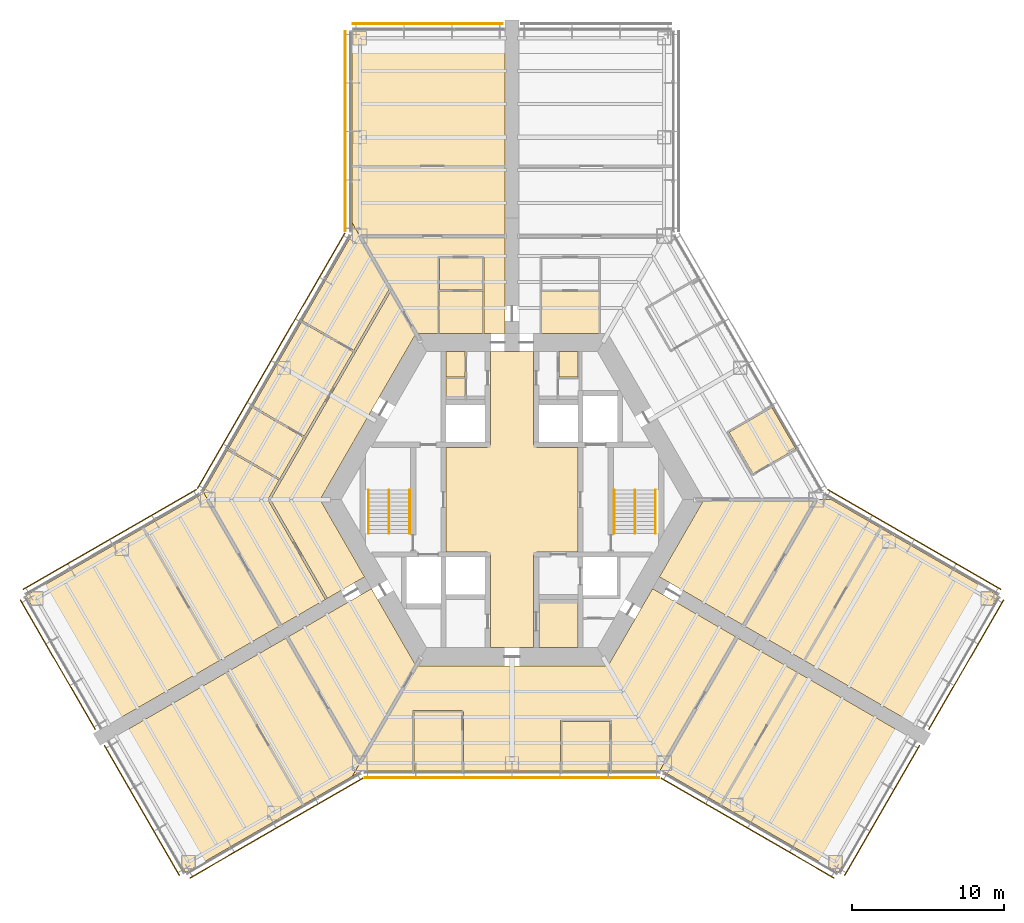
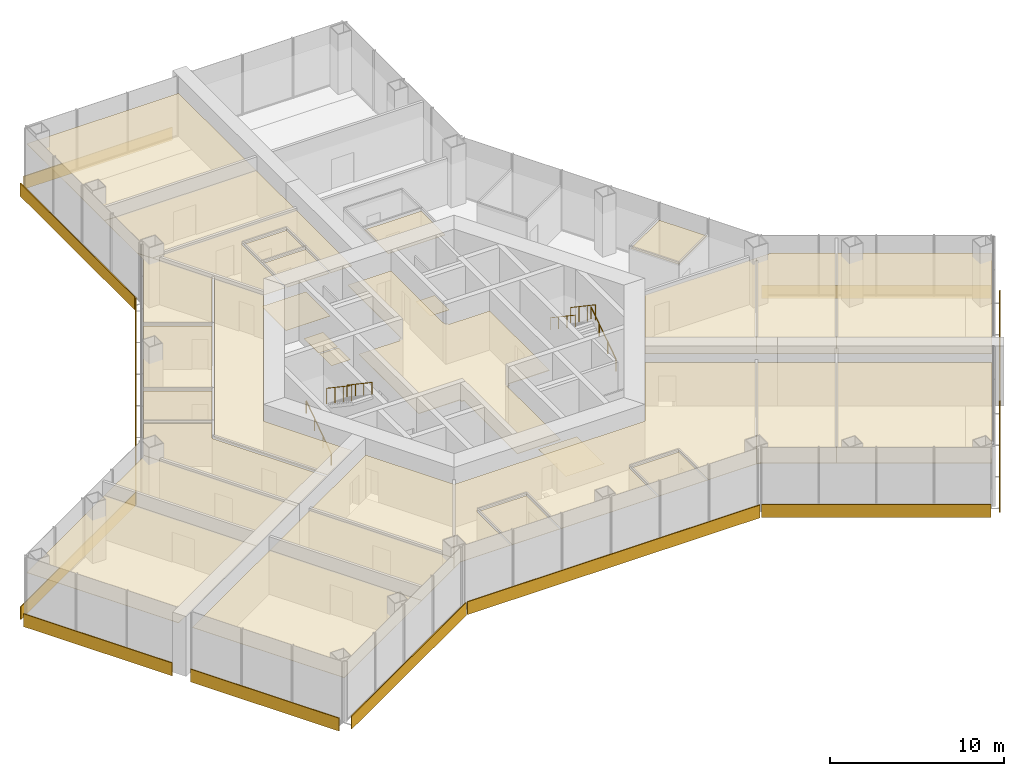
# One storey, part 16 of 17: 31 coverings, 12 shading devices, 6 railings.
"""IFC4 building model written with IfcOpenShell, lengths in metres."""

import ifcopenshell
import ifcopenshell.guid

model = None  # the IFC model being written
_history = None  # IfcOwnerHistory: only IFC2X3 demands one
_inside = {}  # id of a spatial element -> (the spatial element, [elements in it])
_under = {}  # id of a project, library or spatial element -> (it, [spatial elements below it])
_declared = {}  # id of a project -> (the project, [libraries it declares])
_typed = {}  # id of a type object -> (the type object, [elements of that type])
_made_of = {}  # id of a material, layer set ... -> (it, [elements and type objects made of it])


def new_model(schema):
    """Start an empty IFC model of exactly this schema.

    Asked for "IFC4X3", IfcOpenShell would pick the latest addendum, in which some entities
    have other attributes; the version numbers below select the first issue.
    IFC2X3 requires an IfcOwnerHistory on every rooted entity: one is made here for all.
    """
    global model, _history
    if schema == "IFC4X3":
        model = ifcopenshell.file(schema_version=(4, 3, 0, 0))
    else:
        model = ifcopenshell.file(schema=schema)
    _inside.clear()
    _under.clear()
    _declared.clear()
    _typed.clear()
    _made_of.clear()
    _history = None
    if model.schema == "IFC2X3":
        org = make("IfcOrganization", Name="unknown")
        user = make(
            "IfcPersonAndOrganization",
            ThePerson=make("IfcPerson", FamilyName="unknown"),
            TheOrganization=org,
        )
        app = make(
            "IfcApplication",
            ApplicationDeveloper=org,
            Version="unknown",
            ApplicationFullName="unknown",
            ApplicationIdentifier="unknown",
        )
        _history = make(
            "IfcOwnerHistory",
            OwningUser=user,
            OwningApplication=app,
            ChangeAction="ADDED",
            CreationDate=0,
        )
    return model


def make(cls, **values):
    """One entity of the class cls with the attributes given. An attribute that is None is left unset."""
    return model.create_entity(
        cls, **{name: value for name, value in values.items() if value is not None}
    )


def rooted(cls, **values):
    """An entity with a GlobalId (a new one), such as an element, a storey or a relation."""
    return make(cls, GlobalId=ifcopenshell.guid.new(), OwnerHistory=_history, **values)


def si_unit(unit_type, name, prefix=None):
    """IfcSIUnit, for example si_unit("LENGTHUNIT", "METRE", prefix="MILLI")."""
    return make("IfcSIUnit", UnitType=unit_type, Prefix=prefix, Name=name)


def assignment(units):
    """IfcUnitAssignment: the units of a project."""
    return None if units is None else make("IfcUnitAssignment", Units=units)


def point(xyz):
    """IfcCartesianPoint."""
    return None if xyz is None else make("IfcCartesianPoint", Coordinates=xyz)


def direction(xyz):
    """IfcDirection."""
    return None if xyz is None else make("IfcDirection", DirectionRatios=xyz)


def frame(location, z_axis=None, x_axis=None):
    """IfcAxis2Placement3D, a coordinate frame: its origin and axes. An axis left out is left unset."""
    return make(
        "IfcAxis2Placement3D",
        Location=point(location),
        Axis=direction(z_axis),
        RefDirection=direction(x_axis),
    )


def frame_2d(location, x_axis=None):
    """IfcAxis2Placement2D, a coordinate frame in the plane: its origin and x axis."""
    return make(
        "IfcAxis2Placement2D", Location=point(location), RefDirection=direction(x_axis)
    )


def origin():
    """The frame at (0, 0, 0) with its axes left unset."""
    return frame((0.0, 0.0, 0.0))


def origin_2d():
    """The frame at (0, 0) in the plane with its x axis left unset."""
    return frame_2d((0.0, 0.0))


def place(relative_to, where):
    """IfcLocalPlacement: puts the frame where relative to a parent placement (None: the world)."""
    return make(
        "IfcLocalPlacement", PlacementRelTo=relative_to, RelativePlacement=where
    )


def context(
    kind, dimensions, precision=None, world=None, true_north=None, identifier=None
):
    """IfcGeometricRepresentationContext, for example the 3D "Model" context."""
    return make(
        "IfcGeometricRepresentationContext",
        ContextIdentifier=identifier,
        ContextType=kind,
        CoordinateSpaceDimension=dimensions,
        Precision=precision,
        WorldCoordinateSystem=world,
        TrueNorth=true_north,
    )


def subcontext(parent, identifier, kind, view, scale=None):
    """IfcGeometricRepresentationSubContext, for example "Body" below "Model"."""
    return make(
        "IfcGeometricRepresentationSubContext",
        ContextIdentifier=identifier,
        ContextType=kind,
        ParentContext=parent,
        TargetScale=scale,
        TargetView=view,
    )


def project(units=None, contexts=None):
    """IfcProject with its units and contexts."""
    return rooted(
        "IfcProject",
        Name="project",
        RepresentationContexts=contexts,
        UnitsInContext=assignment(units),
    )


def spatial(cls, under=None, at=None, **own):
    """A site, building, storey or space (cls), placed at a placement, below another one or the project."""
    s = rooted(cls, ObjectPlacement=at, **own)
    if under is not None:
        _under.setdefault(under.id(), (under, []))[1].append(s)
    return s


def polyline(points):
    """IfcPolyline through the points."""
    return make("IfcPolyline", Points=[point(p) for p in points])


def profile(cls, at=None, kind="AREA", **sizes):
    """A parametric profile (cls). Its sizes go by their IFC names, for example OverallWidth=200.0."""
    return make(cls, ProfileType=kind, Position=at, **sizes)


def rectangle(**sizes):
    """IfcRectangleProfileDef."""
    return profile("IfcRectangleProfileDef", **sizes)


def circle(**sizes):
    """IfcCircleProfileDef."""
    return profile("IfcCircleProfileDef", **sizes)


def outline(outer, holes=None, kind="AREA"):
    """IfcArbitraryClosedProfileDef: a profile drawn as a closed curve; with holes, ...WithVoids."""
    if holes is None:
        return make("IfcArbitraryClosedProfileDef", ProfileType=kind, OuterCurve=outer)
    return make(
        "IfcArbitraryProfileDefWithVoids",
        ProfileType=kind,
        OuterCurve=outer,
        InnerCurves=holes,
    )


def extrude(swept, where, along, depth):
    """IfcExtrudedAreaSolid: the profile swept, set in the frame where, extruded along a direction by depth."""
    return make(
        "IfcExtrudedAreaSolid",
        SweptArea=swept,
        Position=where,
        ExtrudedDirection=direction(along),
        Depth=depth,
    )


def shape(context_of_items, identifier, shape_type, items):
    """IfcShapeRepresentation: the items that make up one representation, for example the "Body"."""
    return make(
        "IfcShapeRepresentation",
        ContextOfItems=context_of_items,
        RepresentationIdentifier=identifier,
        RepresentationType=shape_type,
        Items=items,
    )


def material(Name=None, Category=None):
    """IfcMaterial."""
    return make("IfcMaterial", Name=Name, Category=Category)


def layer(
    of_material, thickness, ventilated=None, Name=None, Category=None, Priority=None
):
    """IfcMaterialLayer: one layer of a wall or slab, of a material (None: an air gap)."""
    return make(
        "IfcMaterialLayer",
        Material=of_material,
        LayerThickness=thickness,
        IsVentilated=ventilated,
        Name=Name,
        Category=Category,
        Priority=Priority,
    )


def layer_set(layers, Name=None):
    """IfcMaterialLayerSet."""
    return make("IfcMaterialLayerSet", MaterialLayers=layers, LayerSetName=Name)


def made_of(thing, what):
    """Note that an element or type object is made of a material, layer set ...; save() writes the relation."""
    if what is not None:
        _made_of.setdefault(what.id(), (what, []))[1].append(thing)
    return thing


def type_object(cls, material=None, **own):
    """A type object (cls), such as IfcWallType, which elements share."""
    return made_of(rooted(cls, **own), material)


def element(
    cls,
    number,
    at=None,
    inside=None,
    cuts=None,
    type_object=None,
    material=None,
    context=None,
    identifier="Body",
    shape_type=None,
    held_by="IfcProductDefinitionShape",
    body=None,
    shapes=None,
    **own,
):
    """One element of the class cls, such as IfcWall. Its Tag is "e" and its number.

    at: its placement. inside: the storey or other place that contains it. cuts: it is an
    opening in that element (IfcRelVoidsElement). A single representation is given by context,
    identifier, shape_type and body (its items); several are given by shapes. held_by: the class
    of the entity that holds the representations. save() writes the other relations.
    """
    e = rooted(cls, Tag="e%d" % number, ObjectPlacement=at, **own)
    if body is not None:
        shapes = [shape(context, identifier, shape_type, body)]
    if shapes is not None:
        e.Representation = make(held_by, Representations=shapes)
    if inside is not None:
        _inside.setdefault(inside.id(), (inside, []))[1].append(e)
    if cuts is not None:
        rooted(
            "IfcRelVoidsElement", RelatingBuildingElement=cuts, RelatedOpeningElement=e
        )
    if type_object is not None:
        _typed.setdefault(type_object.id(), (type_object, []))[1].append(e)
    return made_of(e, material)


def aggregate(whole, parts):
    """IfcRelAggregates: a whole, such as a stair, and the parts it consists of."""
    return rooted("IfcRelAggregates", RelatingObject=whole, RelatedObjects=parts)


def save(model, path):
    """Write the relations noted so far, then the file.

    IfcRelAggregates (storeys below a building ...), IfcRelContainedInSpatialStructure (elements
    in a storey), IfcRelDefinesByType, IfcRelAssociatesMaterial and IfcRelDeclares: one each for
    every whole, place, type object, material and project.
    """
    for whole, parts in _under.values():
        aggregate(whole, parts)
    for where, things in _inside.values():
        rooted(
            "IfcRelContainedInSpatialStructure",
            RelatedElements=things,
            RelatingStructure=where,
        )
    for kind, things in _typed.values():
        rooted("IfcRelDefinesByType", RelatedObjects=things, RelatingType=kind)
    for what, things in _made_of.values():
        rooted("IfcRelAssociatesMaterial", RelatedObjects=things, RelatingMaterial=what)
    for by, libraries in _declared.values():
        rooted("IfcRelDeclares", RelatingContext=by, RelatedDefinitions=libraries)
    model.write(path)


model = new_model("IFC4")

# Units and contexts
model_context = context("Model", 3, precision=1e-05, world=origin(), true_north=direction((0.0, 1.0)))
body_context = subcontext(model_context, "Body", "Model", "MODEL_VIEW")
ifc_project = project(units=[si_unit("LENGTHUNIT", "METRE"), si_unit("AREAUNIT", "SQUARE_METRE"), si_unit("VOLUMEUNIT", "CUBIC_METRE"), si_unit("PLANEANGLEUNIT", "RADIAN"), si_unit("MASSUNIT", "GRAM", prefix="KILO")], contexts=[model_context])

# Site, building, storey
site_placement = place(None, origin())
site = spatial("IfcSite", under=ifc_project, at=site_placement, CompositionType="ELEMENT")
building_placement = place(site_placement, origin())
building = spatial("IfcBuilding", under=site, at=building_placement, Name="Kasaneha Research Tower", CompositionType="ELEMENT")
storey_placement = place(building_placement, frame((0.0, 0.0, 43.60009765625)))
storey = spatial("IfcBuildingStorey", under=building, at=storey_placement, Name="L11", CompositionType="ELEMENT", Elevation=43.60009765625)

# Coverings
ifc_material_1 = material(Name="Washable coated ceiling board", Category="gypsum")
ifc_layer_1 = layer(ifc_material_1, 0.02490234375)
ifc_layer_set_1 = layer_set([ifc_layer_1], Name="Laboratory ceiling 25")
covering_type_1 = type_object("IfcCoveringType", Name="Laboratory ceiling 25", PredefinedType="CEILING", material=ifc_layer_set_1)
covering_1_placement = place(storey_placement, frame((0.0, 0.0, 3.0)))
element("IfcCovering", 1, at=covering_1_placement, inside=storey, type_object=covering_type_1, Name="Ceiling L11-28", PredefinedType="CEILING", context=body_context, shape_type="SweptSolid", body=[
    extrude(outline(polyline([(1.949951171875, 10.925048828125), (1.949951171875, 13.675048828125), (5.70703125, 13.675048828125), (5.70703125, 10.925048828125), (1.949951171875, 10.925048828125)])), origin(), (0.0, 0.0, 1.0), 0.02490234375),
])
covering_2_placement = place(storey_placement, frame((0.0, 0.0, 3.0)))
element("IfcCovering", 2, at=covering_2_placement, inside=storey, type_object=covering_type_1, Name="Ceiling L11-31", PredefinedType="CEILING", context=body_context, shape_type="SweptSolid", body=[
    extrude(outline(polyline([(18.679443359375, 3.287353515625), (18.662109375, 3.27734375), (18.63720703125, 3.320556640625), (15.83984375, 1.70556640625), (14.2666015625, 4.430419921875), (17.06396484375, 6.04541015625), (17.038818359375, 6.0888671875), (17.05615234375, 6.098876953125), (18.679443359375, 3.287353515625)])), origin(), (0.0, 0.0, 1.0), 0.02490234375),
])
covering_3_placement = place(storey_placement, frame((0.0, 0.0, 3.0)))
element("IfcCovering", 3, at=covering_3_placement, inside=storey, type_object=covering_type_1, Name="Ceiling L11-35", PredefinedType="CEILING", context=body_context, shape_type="SweptSolid", body=[
    extrude(outline(polyline([(-4.778564453125, 10.925048828125), (-4.778564453125, 13.675048828125), (-1.949951171875, 13.675048828125), (-1.949951171875, 10.925048828125), (-4.778564453125, 10.925048828125)])), origin(), (0.0, 0.0, 1.0), 0.02490234375),
])
covering_4_placement = place(storey_placement, frame((0.0, 0.0, 3.0)))
element("IfcCovering", 4, at=covering_4_placement, inside=storey, type_object=covering_type_1, Name="Ceiling L11-36", PredefinedType="CEILING", context=body_context, shape_type="SweptSolid", body=[
    extrude(outline(polyline([(-4.778564453125, 15.875), (-1.949951171875, 15.875), (-1.949951171875, 13.77490234375), (-4.778564453125, 13.77490234375), (-4.778564453125, 15.875)])), origin(), (0.0, 0.0, 1.0), 0.02490234375),
])
covering_5_placement = place(storey_placement, frame((0.0, 0.0, 3.0)))
element("IfcCovering", 5, at=covering_5_placement, inside=storey, type_object=covering_type_1, Name="Ceiling L11-37", PredefinedType="CEILING", context=body_context, shape_type="SweptSolid", body=[
    extrude(outline(polyline([(-1.85009765625, 10.925048828125), (-1.85009765625, 15.925048828125), (-1.8994140625, 15.925048828125), (-1.8994140625, 15.925048828125), (-1.8994140625, 15.925048828125), (-1.8994140625, 15.925048828125), (-1.899658203125, 15.92529296875), (-1.899658203125, 15.92529296875), (-1.899658203125, 15.92529296875), (-1.899658203125, 15.92529296875), (-1.899658203125, 15.92529296875), (-1.899658203125, 15.92529296875), (-1.899658203125, 15.925537109375), (-1.899658203125, 15.925537109375), (-1.89990234375, 15.925537109375), (-1.89990234375, 15.925537109375), (-1.89990234375, 15.925537109375), (-1.89990234375, 15.925537109375), (-1.89990234375, 15.925537109375), (-1.89990234375, 15.97509765625), (-4.82861328125, 15.97509765625), (-4.82861328125, 15.925537109375), (-4.82861328125, 15.925537109375), (-4.82861328125, 15.925537109375), (-4.82861328125, 15.925537109375), (-4.828857421875, 15.925537109375), (-4.828857421875, 15.925537109375), (-4.828857421875, 15.925537109375), (-4.828857421875, 15.92529296875), (-4.828857421875, 15.92529296875), (-4.828857421875, 15.92529296875), (-4.8291015625, 15.92529296875), (-4.8291015625, 15.92529296875), (-4.8291015625, 15.92529296875), (-4.8291015625, 15.925048828125), (-4.8291015625, 15.925048828125), (-4.8291015625, 15.925048828125), (-4.8291015625, 15.925048828125), (-4.878662109375, 15.925048828125), (-4.878662109375, 10.925048828125), (-6.3076171875, 10.925048828125), (-7.9384765625, 13.75), (-7.928466796875, 13.767578125), (-7.958740234375, 13.784912109375), (-10.0, 17.320556640625), (-0.449951171875, 17.320556640625), (-0.449951171875, 12.72509765625), (-0.449951171875, 11.72509765625), (-0.449951171875, 10.925048828125), (-1.85009765625, 10.925048828125)])), origin(), (0.0, 0.0, 1.0), 0.02490234375),
])
covering_6_placement = place(storey_placement, frame((0.0, 0.0, 3.0)))
element("IfcCovering", 6, at=covering_6_placement, inside=storey, type_object=covering_type_1, Name="Ceiling L11-38", PredefinedType="CEILING", context=body_context, shape_type="SweptSolid", body=[
    extrude(outline(polyline([(-10.5, 21.92041015625), (-0.449951171875, 21.92041015625), (-0.449951171875, 17.320556640625), (-10.0, 17.320556640625), (-10.5, 18.1865234375), (-10.5, 21.92041015625)])), origin(), (0.0, 0.0, 1.0), 0.02490234375),
])
covering_7_placement = place(storey_placement, frame((0.0, 0.0, 3.0)))
element("IfcCovering", 7, at=covering_7_placement, inside=storey, type_object=covering_type_1, Name="Ceiling L11-39", PredefinedType="CEILING", context=body_context, shape_type="SweptSolid", body=[
    extrude(outline(polyline([(-0.449951171875, 30.820556640625), (-0.449951171875, 21.92041015625), (-10.5, 21.92041015625), (-10.5, 30.820556640625), (-0.449951171875, 30.820556640625)])), origin(), (0.0, 0.0, 1.0), 0.02490234375),
])
covering_8_placement = place(storey_placement, frame((0.0, 0.0, 3.0)))
element("IfcCovering", 8, at=covering_8_placement, inside=storey, type_object=covering_type_1, Name="Ceiling L11-40", PredefinedType="CEILING", context=body_context, shape_type="SweptSolid", body=[
    extrude(outline(polyline([(-12.614990234375, 0.0), (-9.686279296875, -5.07275390625), (-12.19775390625, -6.522705078125), (-12.207763671875, -6.50537109375), (-12.142822265625, -6.468017578125), (-15.877197265625, 0.0), (-15.15673828125, 1.247802734375), (-15.15673828125, 1.247802734375), (-13.533203125, 4.059814453125), (-13.533203125, 4.059814453125), (-10.287109375, 9.68212890625), (-10.287109375, 9.68212890625), (-7.9384765625, 13.75), (-6.3076171875, 10.925048828125), (-12.614990234375, 0.0)])), origin(), (0.0, 0.0, 1.0), 0.02490234375),
])
covering_9_placement = place(storey_placement, frame((0.0, 0.0, 3.0)))
element("IfcCovering", 9, at=covering_9_placement, inside=storey, type_object=covering_type_1, Name="Ceiling L11-41", PredefinedType="CEILING", context=body_context, shape_type="SweptSolid", body=[
    extrude(outline(polyline([(-10.499755859375, 18.18701171875), (-7.981689453125, 13.825439453125), (-7.993408203125, 13.804931640625), (-8.058349609375, 13.842529296875), (-10.387451171875, 9.80859375), (-13.767578125, 11.755126953125), (-13.79248046875, 11.711669921875), (-13.809814453125, 11.7216796875), (-10.50048828125, 17.45458984375), (-10.499755859375, 18.18701171875)])), origin(), (0.0, 0.0, 1.0), 0.02490234375),
])
covering_10_placement = place(storey_placement, frame((0.0, 0.0, 3.0)))
element("IfcCovering", 10, at=covering_10_placement, inside=storey, type_object=covering_type_1, Name="Ceiling L11-42", PredefinedType="CEILING", context=body_context, shape_type="SweptSolid", body=[
    extrude(outline(polyline([(-17.038818359375, 6.0888671875), (-17.06396484375, 6.04541015625), (-13.688232421875, 4.091552734375), (-15.257080078125, 1.3740234375), (-18.63720703125, 3.320556640625), (-18.662109375, 3.27734375), (-18.679443359375, 3.287353515625), (-17.05615234375, 6.098876953125), (-17.038818359375, 6.0888671875)])), origin(), (0.0, 0.0, 1.0), 0.02490234375),
])
covering_11_placement = place(storey_placement, frame((0.0, 0.0, 3.0)))
element("IfcCovering", 11, at=covering_11_placement, inside=storey, type_object=covering_type_1, Name="Ceiling L11-43", PredefinedType="CEILING", context=body_context, shape_type="SweptSolid", body=[
    extrude(outline(polyline([(-18.6796875, 3.286865234375), (-18.662353515625, 3.27685546875), (-18.68701171875, 3.23388671875), (-15.306884765625, 1.28759765625), (-16.028564453125, 0.03759765625), (-15.964111328125, 0.000244140625), (-15.964111328125, -0.000244140625), (-15.964111328125, -0.000244140625), (-16.028564453125, -0.03759765625), (-12.272705078125, -6.54296875), (-12.208251953125, -6.505859375), (-12.1982421875, -6.52294921875), (-15.22509765625, -8.2705078125), (-20.28857421875, 0.5), (-18.6796875, 3.286865234375)])), origin(), (0.0, 0.0, 1.0), 0.02490234375),
])
covering_12_placement = place(storey_placement, frame((0.0, 0.0, 3.0)))
element("IfcCovering", 12, at=covering_12_placement, inside=storey, type_object=covering_type_1, Name="Ceiling L11-44", PredefinedType="CEILING", context=body_context, shape_type="SweptSolid", body=[
    extrude(outline(polyline([(-17.055908203125, 6.09912109375), (-13.81005859375, 11.72119140625), (-13.792724609375, 11.711181640625), (-13.8173828125, 11.66845703125), (-10.4375, 9.721923828125), (-13.63818359375, 4.177978515625), (-17.013916015625, 6.132080078125), (-17.03857421875, 6.089111328125), (-17.055908203125, 6.09912109375)])), origin(), (0.0, 0.0, 1.0), 0.02490234375),
])
covering_13_placement = place(storey_placement, frame((0.0, 0.0, 3.0)))
element("IfcCovering", 13, at=covering_13_placement, inside=storey, type_object=covering_type_1, Name="Ceiling L11-45", PredefinedType="CEILING", context=body_context, shape_type="SweptSolid", body=[
    extrude(outline(polyline([(-24.233642578125, -1.866943359375), (-20.365966796875, 0.365966796875), (-20.28857421875, 0.5), (-15.22509765625, -8.2705078125), (-19.208740234375, -10.570556640625), (-24.233642578125, -1.866943359375)])), origin(), (0.0, 0.0, 1.0), 0.02490234375),
])
covering_14_placement = place(storey_placement, frame((0.0, 0.0, 3.0)))
element("IfcCovering", 14, at=covering_14_placement, inside=storey, type_object=covering_type_1, Name="Ceiling L11-46", PredefinedType="CEILING", context=body_context, shape_type="SweptSolid", body=[
    extrude(outline(polyline([(-31.94140625, -6.31689453125), (-24.233642578125, -1.866943359375), (-19.208740234375, -10.570556640625), (-26.916259765625, -15.0205078125), (-31.94140625, -6.31689453125)])), origin(), (0.0, 0.0, 1.0), 0.02490234375),
])
covering_15_placement = place(storey_placement, frame((0.0, 0.0, 3.0)))
element("IfcCovering", 15, at=covering_15_placement, inside=storey, type_object=covering_type_1, Name="Ceiling L11-47", PredefinedType="CEILING", context=body_context, shape_type="SweptSolid", body=[
    extrude(outline(polyline([(-9.236328125, -5.852294921875), (-6.3076171875, -10.925048828125), (-10.0, -17.320556640625), (-14.77490234375, -9.050048828125), (-9.92919921875, -6.252197265625), (-9.92919921875, -6.252197265625), (-9.236328125, -5.852294921875)])), origin(), (0.0, 0.0, 1.0), 0.02490234375),
])
covering_16_placement = place(storey_placement, frame((0.0, 0.0, 3.0)))
element("IfcCovering", 16, at=covering_16_placement, inside=storey, type_object=covering_type_1, Name="Ceiling L11-48", PredefinedType="CEILING", context=body_context, shape_type="SweptSolid", body=[
    extrude(outline(polyline([(-21.44140625, -24.50341796875), (-26.46630859375, -15.800048828125), (-18.7587890625, -11.349853515625), (-13.733642578125, -20.053466796875), (-21.44140625, -24.50341796875)])), origin(), (0.0, 0.0, 1.0), 0.02490234375),
])
covering_17_placement = place(storey_placement, frame((0.0, 0.0, 3.0)))
element("IfcCovering", 17, at=covering_17_placement, inside=storey, type_object=covering_type_1, Name="Ceiling L11-49", PredefinedType="CEILING", context=body_context, shape_type="SweptSolid", body=[
    extrude(outline(polyline([(-10.5, -18.1865234375), (-13.733642578125, -20.053466796875), (-18.7587890625, -11.349853515625), (-14.77490234375, -9.050048828125), (-10.0, -17.320556640625), (-10.5, -18.1865234375)])), origin(), (0.0, 0.0, 1.0), 0.02490234375),
])
covering_18_placement = place(storey_placement, frame((0.0, 0.0, 3.0)))
element("IfcCovering", 18, at=covering_18_placement, inside=storey, type_object=covering_type_1, Name="Ceiling L11-50", PredefinedType="CEILING", context=body_context, shape_type="SweptSolid", body=[
    extrude(outline(polyline([(11.2451171875, -5.972900390625), (10.379150390625, -5.472900390625), (9.686279296875, -5.07275390625), (12.614990234375, 0.0), (20.0, 0.0), (15.22509765625, -8.2705078125), (14.55810546875, -7.885498046875), (11.2451171875, -5.972900390625)])), origin(), (0.0, 0.0, 1.0), 0.02490234375),
])
covering_19_placement = place(storey_placement, frame((0.0, 0.0, 3.0)))
element("IfcCovering", 19, at=covering_19_placement, inside=storey, type_object=covering_type_1, Name="Ceiling L11-51", PredefinedType="CEILING", context=body_context, shape_type="SweptSolid", body=[
    extrude(outline(polyline([(24.233642578125, -1.866943359375), (31.94140625, -6.31689453125), (26.916259765625, -15.0205078125), (19.208740234375, -10.570556640625), (24.233642578125, -1.866943359375)])), origin(), (0.0, 0.0, 1.0), 0.02490234375),
])
covering_20_placement = place(storey_placement, frame((0.0, 0.0, 3.0)))
element("IfcCovering", 20, at=covering_20_placement, inside=storey, type_object=covering_type_1, Name="Ceiling L11-52", PredefinedType="CEILING", context=body_context, shape_type="SweptSolid", body=[
    extrude(outline(polyline([(20.0, 0.0), (21.0, 0.0), (24.233642578125, -1.866943359375), (19.208740234375, -10.570556640625), (15.22509765625, -8.2705078125), (20.0, 0.0)])), origin(), (0.0, 0.0, 1.0), 0.02490234375),
])
covering_21_placement = place(storey_placement, frame((0.0, 0.0, 3.0)))
element("IfcCovering", 21, at=covering_21_placement, inside=storey, type_object=covering_type_1, Name="Ceiling L11-53", PredefinedType="CEILING", context=body_context, shape_type="SweptSolid", body=[
    extrude(outline(polyline([(-6.492919921875, -17.820556640625), (-6.492919921875, -17.800537109375), (-6.44287109375, -17.800537109375), (-6.44287109375, -13.970458984375), (-3.29638671875, -13.970458984375), (-3.29638671875, -17.800537109375), (-3.246337890625, -17.800537109375), (-3.246337890625, -17.820556640625), (-6.492919921875, -17.820556640625)])), origin(), (0.0, 0.0, 1.0), 0.02490234375),
])
covering_22_placement = place(storey_placement, frame((0.0, 0.0, 3.0)))
element("IfcCovering", 22, at=covering_22_placement, inside=storey, type_object=covering_type_1, Name="Ceiling L11-54", PredefinedType="CEILING", context=body_context, shape_type="SweptSolid", body=[
    extrude(outline(polyline([(3.246337890625, -17.820556640625), (3.246337890625, -17.800537109375), (3.29638671875, -17.800537109375), (3.29638671875, -14.570556640625), (6.44287109375, -14.570556640625), (6.44287109375, -17.800537109375), (6.492919921875, -17.800537109375), (6.492919921875, -17.820556640625), (3.246337890625, -17.820556640625)])), origin(), (0.0, 0.0, 1.0), 0.02490234375),
])
covering_23_placement = place(storey_placement, frame((0.0, 0.0, 3.0)))
element("IfcCovering", 23, at=covering_23_placement, inside=storey, type_object=covering_type_1, Name="Ceiling L11-55", PredefinedType="CEILING", context=body_context, shape_type="SweptSolid", body=[
    extrude(outline(polyline([(6.492919921875, -14.52001953125), (6.492919921875, -14.470458984375), (3.246337890625, -14.470458984375), (3.246337890625, -14.520263671875), (3.24609375, -14.520263671875), (3.24609375, -14.5205078125), (3.1962890625, -14.5205078125), (3.1962890625, -17.800537109375), (3.245849609375, -17.800537109375), (3.245849609375, -17.820556640625), (-3.245849609375, -17.820556640625), (-3.245849609375, -17.800537109375), (-3.1962890625, -17.800537109375), (-3.1962890625, -13.92041015625), (-3.24609375, -13.92041015625), (-3.24609375, -13.920166015625), (-3.246337890625, -13.920166015625), (-3.246337890625, -13.87060546875), (-6.492919921875, -13.87060546875), (-6.492919921875, -13.919921875), (-6.492919921875, -13.919921875), (-6.492919921875, -13.92041015625), (-6.542724609375, -13.92041015625), (-6.542724609375, -17.800537109375), (-6.493408203125, -17.800537109375), (-6.493408203125, -17.820556640625), (-9.865966796875, -17.820556640625), (-10.5, -18.1865234375), (-6.3076171875, -10.925048828125), (6.3076171875, -10.925048828125), (9.236328125, -5.852294921875), (14.77490234375, -9.050048828125), (9.71142578125, -17.820556640625), (6.493408203125, -17.820556640625), (6.493408203125, -17.800537109375), (6.542724609375, -17.800537109375), (6.542724609375, -14.5205078125), (6.492919921875, -14.5205078125), (6.492919921875, -14.52001953125), (6.492919921875, -14.52001953125)])), origin(), (0.0, 0.0, 1.0), 0.02490234375),
])
covering_24_placement = place(storey_placement, frame((0.0, 0.0, 3.0)))
element("IfcCovering", 24, at=covering_24_placement, inside=storey, type_object=covering_type_1, Name="Ceiling L11-56", PredefinedType="CEILING", context=body_context, shape_type="SweptSolid", body=[
    extrude(outline(polyline([(14.77490234375, -9.050048828125), (18.7587890625, -11.349853515625), (13.733642578125, -20.053466796875), (9.865966796875, -17.820556640625), (9.71142578125, -17.820556640625), (14.77490234375, -9.050048828125)])), origin(), (0.0, 0.0, 1.0), 0.02490234375),
])
covering_25_placement = place(storey_placement, frame((0.0, 0.0, 3.0)))
element("IfcCovering", 25, at=covering_25_placement, inside=storey, type_object=covering_type_1, Name="Ceiling L11-57", PredefinedType="CEILING", context=body_context, shape_type="SweptSolid", body=[
    extrude(outline(polyline([(21.44140625, -24.50341796875), (13.733642578125, -20.053466796875), (18.7587890625, -11.349853515625), (26.46630859375, -15.800048828125), (21.44140625, -24.50341796875)])), origin(), (0.0, 0.0, 1.0), 0.02490234375),
])
ifc_material_2 = material(Name="Aluminium panel ceiling", Category="aluminium")
ifc_layer_2 = layer(ifc_material_2, 0.0400390625)
ifc_layer_set_2 = layer_set([ifc_layer_2], Name="Lift lobby ceiling 40")
covering_type_2 = type_object("IfcCoveringType", Name="Lift lobby ceiling 40", PredefinedType="CEILING", material=ifc_layer_set_2)
covering_26_placement = place(storey_placement, frame((0.0, 0.0, 2.699951171875)))
element("IfcCovering", 26, at=covering_26_placement, inside=storey, type_object=covering_type_2, Name="Ceiling L11-01", PredefinedType="CEILING", context=body_context, shape_type="SweptSolid", body=[
    extrude(outline(polyline([(1.425048828125, 9.72509765625), (1.425048828125, 3.60009765625), (1.60009765625, 3.60009765625), (1.60009765625, 3.425048828125), (4.324951171875, 3.425048828125), (4.324951171875, -3.425048828125), (1.60009765625, -3.425048828125), (1.60009765625, -3.60009765625), (1.425048828125, -3.60009765625), (1.425048828125, -9.72509765625), (-1.425048828125, -9.72509765625), (-1.425048828125, -3.60009765625), (-1.60009765625, -3.60009765625), (-1.60009765625, -3.425048828125), (-4.324951171875, -3.425048828125), (-4.324951171875, 3.425048828125), (-1.60009765625, 3.425048828125), (-1.60009765625, 3.60009765625), (-1.425048828125, 3.60009765625), (-1.425048828125, 9.72509765625), (1.425048828125, 9.72509765625)])), origin(), (0.0, 0.0, 1.0), 0.0400390625),
])

# Railings
ifc_material_3 = material(Name="Steel", Category="steel")
railing_type_1 = type_object("IfcRailingType", Name="Stair balustrade 1100", PredefinedType="GUARDRAIL", material=ifc_material_3)
for number, where, name in (
    (27, (8.074951171875, 0.635009765625, 2.27490234375), "Stair 1 balustrade L11"),
    (28, (-8.074951171875, 0.635009765625, 2.27490234375), "Stair 2 balustrade L11"),
):
    element("IfcRailing", number, at=place(storey_placement, frame(where)), inside=storey, type_object=railing_type_1, Name=name, PredefinedType="GUARDRAIL", context=body_context, shape_type="SweptSolid", body=[
        extrude(circle(Radius=0.02392578125, at=origin_2d()), frame((0.0, 0.0, 1.076171875), z_axis=(0.0, -0.829590901723, 0.558371682465), x_axis=(1.0, 0.0, 0.0)), (0.0, 0.0, 1.0), 3.447509765625),
        extrude(circle(Radius=0.02099609375, at=origin_2d()), origin(), (0.0, 0.0, 1.0), 1.052001953125),
        extrude(circle(Radius=0.02099609375, at=origin_2d()), frame((0.0, -0.953369140625, 0.6416015625)), (0.0, 0.0, 1.0), 1.052001953125),
        extrude(circle(Radius=0.02099609375, at=origin_2d()), frame((0.0, -1.90673828125, 1.283447265625)), (0.0, 0.0, 1.0), 1.052001953125),
        extrude(circle(Radius=0.02099609375, at=origin_2d()), frame((0.0, -2.860107421875, 1.925048828125)), (0.0, 0.0, 1.0), 1.052001953125),
    ])
ifc_material_4 = material(Name="Steel", Category="steel")
railing_type_2 = type_object("IfcRailingType", Name="Stair handrail 850", PredefinedType="HANDRAIL", material=ifc_material_4)
railing_1_placement = place(storey_placement, frame((9.425048828125, -2.22509765625, 0.1748046875)))
element("IfcRailing", 29, at=railing_1_placement, inside=storey, type_object=railing_type_2, Name="Stair 1 handrail L11", PredefinedType="HANDRAIL", context=body_context, shape_type="SweptSolid", body=[
    extrude(circle(Radius=0.02392578125, at=origin_2d()), frame((0.0, 0.0, 0.826171875), z_axis=(0.0, 0.829590901723, 0.558371682465), x_axis=(-1.0, 0.0, 0.0)), (0.0, 0.0, 1.0), 3.447509765625),
    extrude(circle(Radius=0.02099609375, at=origin_2d()), origin(), (0.0, 0.0, 1.0), 0.802001953125),
    extrude(circle(Radius=0.02099609375, at=origin_2d()), frame((0.0, 0.953369140625, 0.6416015625)), (0.0, 0.0, 1.0), 0.802001953125),
    extrude(circle(Radius=0.02099609375, at=origin_2d()), frame((0.0, 1.90673828125, 1.283447265625)), (0.0, 0.0, 1.0), 0.802001953125),
    extrude(circle(Radius=0.02099609375, at=origin_2d()), frame((0.0, 2.860107421875, 1.925048828125)), (0.0, 0.0, 1.0), 0.802001953125),
])
railing_2_placement = place(storey_placement, frame((6.72509765625, 0.635009765625, 2.27490234375)))
element("IfcRailing", 30, at=railing_2_placement, inside=storey, type_object=railing_type_2, Name="Stair 1 handrail L11", PredefinedType="HANDRAIL", context=body_context, shape_type="SweptSolid", body=[
    extrude(circle(Radius=0.02392578125, at=origin_2d()), frame((0.0, 0.0, 0.826171875), z_axis=(0.0, -0.829590901723, 0.558371682465), x_axis=(1.0, 0.0, 0.0)), (0.0, 0.0, 1.0), 3.447509765625),
    extrude(circle(Radius=0.02099609375, at=origin_2d()), origin(), (0.0, 0.0, 1.0), 0.802001953125),
    extrude(circle(Radius=0.02099609375, at=origin_2d()), frame((0.0, -0.953369140625, 0.6416015625)), (0.0, 0.0, 1.0), 0.802001953125),
    extrude(circle(Radius=0.02099609375, at=origin_2d()), frame((0.0, -1.90673828125, 1.283447265625)), (0.0, 0.0, 1.0), 0.802001953125),
    extrude(circle(Radius=0.02099609375, at=origin_2d()), frame((0.0, -2.860107421875, 1.925048828125)), (0.0, 0.0, 1.0), 0.802001953125),
])
railing_3_placement = place(storey_placement, frame((-9.425048828125, -2.22509765625, 0.1748046875)))
element("IfcRailing", 31, at=railing_3_placement, inside=storey, type_object=railing_type_2, Name="Stair 2 handrail L11", PredefinedType="HANDRAIL", context=body_context, shape_type="SweptSolid", body=[
    extrude(circle(Radius=0.02392578125, at=origin_2d()), frame((0.0, 0.0, 0.826171875), z_axis=(0.0, 0.829590901723, 0.558371682465), x_axis=(-1.0, 0.0, 0.0)), (0.0, 0.0, 1.0), 3.447509765625),
    extrude(circle(Radius=0.02099609375, at=origin_2d()), origin(), (0.0, 0.0, 1.0), 0.802001953125),
    extrude(circle(Radius=0.02099609375, at=origin_2d()), frame((0.0, 0.953369140625, 0.6416015625)), (0.0, 0.0, 1.0), 0.802001953125),
    extrude(circle(Radius=0.02099609375, at=origin_2d()), frame((0.0, 1.90673828125, 1.283447265625)), (0.0, 0.0, 1.0), 0.802001953125),
    extrude(circle(Radius=0.02099609375, at=origin_2d()), frame((0.0, 2.860107421875, 1.925048828125)), (0.0, 0.0, 1.0), 0.802001953125),
])
railing_4_placement = place(storey_placement, frame((-6.72509765625, 0.635009765625, 2.27490234375)))
element("IfcRailing", 32, at=railing_4_placement, inside=storey, type_object=railing_type_2, Name="Stair 2 handrail L11", PredefinedType="HANDRAIL", context=body_context, shape_type="SweptSolid", body=[
    extrude(circle(Radius=0.02392578125, at=origin_2d()), frame((0.0, 0.0, 0.826171875), z_axis=(0.0, -0.829590901723, 0.558371682465), x_axis=(1.0, 0.0, 0.0)), (0.0, 0.0, 1.0), 3.447509765625),
    extrude(circle(Radius=0.02099609375, at=origin_2d()), origin(), (0.0, 0.0, 1.0), 0.802001953125),
    extrude(circle(Radius=0.02099609375, at=origin_2d()), frame((0.0, -0.953369140625, 0.6416015625)), (0.0, 0.0, 1.0), 0.802001953125),
    extrude(circle(Radius=0.02099609375, at=origin_2d()), frame((0.0, -1.90673828125, 1.283447265625)), (0.0, 0.0, 1.0), 0.802001953125),
    extrude(circle(Radius=0.02099609375, at=origin_2d()), frame((0.0, -2.860107421875, 1.925048828125)), (0.0, 0.0, 1.0), 0.802001953125),
])

# Shading devices
ifc_material_5 = material(Name="Terracotta", Category="masonry")
ifc_layer_3 = layer(ifc_material_5, 0.06005859375)
ifc_layer_set_3 = layer_set([ifc_layer_3], Name="Terracotta baguette screen")
shading_device_type = type_object("IfcShadingDeviceType", Name="Terracotta baguette screen", PredefinedType="USERDEFINED", material=ifc_layer_set_3)
shading_device_1_placement = place(storey_placement, frame((-15.483642578125, -21.58349609375, -0.449951171875), z_axis=(0.0, 0.0, 1.0), x_axis=(0.866025411464, 0.499999986699, 0.0)))
element("IfcShadingDevice", 33, at=shading_device_1_placement, inside=storey, type_object=shading_device_type, Name="Baguette screen L11 01", ObjectType="TERRACOTTA BAGUETTE SCREEN", PredefinedType="USERDEFINED", context=body_context, shape_type="SweptSolid", body=[
    extrude(rectangle(XDim=13.13916015625, YDim=0.06005859375, at=origin_2d()), origin(), (0.0, 0.0, 1.0), 0.89990234375),
])
shading_device_2_placement = place(storey_placement, frame((0.0, -18.2705078125, -0.449951171875), z_axis=(0.0, 0.0, 1.0), x_axis=(1.0, 0.0, 0.0)))
element("IfcShadingDevice", 34, at=shading_device_2_placement, inside=storey, type_object=shading_device_type, Name="Baguette screen L11 02", ObjectType="TERRACOTTA BAGUETTE SCREEN", PredefinedType="USERDEFINED", context=body_context, shape_type="SweptSolid", body=[
    extrude(rectangle(XDim=19.37841796875, YDim=0.06005859375, at=origin_2d()), origin(), (0.0, 0.0, 1.0), 0.89990234375),
])
shading_device_3_placement = place(storey_placement, frame((15.483642578125, -21.58349609375, -0.449951171875), z_axis=(0.0, 0.0, 1.0), x_axis=(0.866025411464, -0.499999986699, 0.0)))
element("IfcShadingDevice", 35, at=shading_device_3_placement, inside=storey, type_object=shading_device_type, Name="Baguette screen L11 03", ObjectType="TERRACOTTA BAGUETTE SCREEN", PredefinedType="USERDEFINED", context=body_context, shape_type="SweptSolid", body=[
    extrude(rectangle(XDim=13.13916015625, YDim=0.06005859375, at=origin_2d()), origin(), (0.0, 0.0, 1.0), 0.89990234375),
])
for number, where, z_axis, x_axis, name in (
    (36, (24.318603515625, -20.420166015625, -0.449951171875), (0.0, 0.0, 1.0), (0.500000011442, 0.866025397178, 0.0), "Baguette screen L11 04"),
    (37, (29.843505859375, -10.850341796875, -0.449951171875), (0.0, 0.0, 1.0), (0.500000011442, 0.866025397178, 0.0), "Baguette screen L11 05"),
):
    element("IfcShadingDevice", number, at=place(storey_placement, frame(where, z_axis=z_axis, x_axis=x_axis)), inside=storey, type_object=shading_device_type, Name=name, ObjectType="TERRACOTTA BAGUETTE SCREEN", PredefinedType="USERDEFINED", context=body_context, shape_type="SweptSolid", body=[
        extrude(rectangle(XDim=9.85009765625, YDim=0.06005859375, at=origin_2d()), origin(), (0.0, 0.0, 1.0), 0.89990234375),
    ])
shading_device_4_placement = place(storey_placement, frame((26.43359375, -2.617431640625, -0.449951171875), z_axis=(0.0, 0.0, 1.0), x_axis=(-0.866025411464, 0.499999986699, 0.0)))
element("IfcShadingDevice", 38, at=shading_device_4_placement, inside=storey, type_object=shading_device_type, Name="Baguette screen L11 06", ObjectType="TERRACOTTA BAGUETTE SCREEN", PredefinedType="USERDEFINED", context=body_context, shape_type="SweptSolid", body=[
    extrude(rectangle(XDim=13.13916015625, YDim=0.06005859375, at=origin_2d()), origin(), (0.0, 0.0, 1.0), 0.89990234375),
])
shading_device_5_placement = place(storey_placement, frame((-5.52490234375, 31.2705078125, -0.449951171875), z_axis=(0.0, 0.0, 1.0), x_axis=(-1.0, 0.0, 0.0)))
element("IfcShadingDevice", 39, at=shading_device_5_placement, inside=storey, type_object=shading_device_type, Name="Baguette screen L11 10", ObjectType="TERRACOTTA BAGUETTE SCREEN", PredefinedType="USERDEFINED", context=body_context, shape_type="SweptSolid", body=[
    extrude(rectangle(XDim=9.85009765625, YDim=0.06005859375, at=origin_2d()), origin(), (0.0, 0.0, 1.0), 0.89990234375),
])
shading_device_6_placement = place(storey_placement, frame((-10.949951171875, 24.200927734375, -0.449951171875), z_axis=(0.0, 0.0, 1.0), x_axis=(0.0, -1.0, 0.0)))
element("IfcShadingDevice", 40, at=shading_device_6_placement, inside=storey, type_object=shading_device_type, Name="Baguette screen L11 11", ObjectType="TERRACOTTA BAGUETTE SCREEN", PredefinedType="USERDEFINED", context=body_context, shape_type="SweptSolid", body=[
    extrude(rectangle(XDim=13.13916015625, YDim=0.06005859375, at=origin_2d()), origin(), (0.0, 0.0, 1.0), 0.89990234375),
])
shading_device_7_placement = place(storey_placement, frame((-15.82275390625, 9.13525390625, -0.449951171875), z_axis=(0.0, 0.0, 1.0), x_axis=(-0.49999996188, -0.866025425793, 0.0)))
element("IfcShadingDevice", 41, at=shading_device_7_placement, inside=storey, type_object=shading_device_type, Name="Baguette screen L11 12", ObjectType="TERRACOTTA BAGUETTE SCREEN", PredefinedType="USERDEFINED", context=body_context, shape_type="SweptSolid", body=[
    extrude(rectangle(XDim=19.37841796875, YDim=0.06005859375, at=origin_2d()), origin(), (0.0, 0.0, 1.0), 0.89990234375),
])
shading_device_8_placement = place(storey_placement, frame((-26.43359375, -2.617431640625, -0.449951171875), z_axis=(0.0, 0.0, 1.0), x_axis=(-0.866025411464, -0.499999986699, 0.0)))
element("IfcShadingDevice", 42, at=shading_device_8_placement, inside=storey, type_object=shading_device_type, Name="Baguette screen L11 13", ObjectType="TERRACOTTA BAGUETTE SCREEN", PredefinedType="USERDEFINED", context=body_context, shape_type="SweptSolid", body=[
    extrude(rectangle(XDim=13.13916015625, YDim=0.06005859375, at=origin_2d()), origin(), (0.0, 0.0, 1.0), 0.89990234375),
])
for number, where, z_axis, x_axis, name in (
    (43, (-29.843505859375, -10.850341796875, -0.449951171875), (0.0, 0.0, 1.0), (0.500000011442, -0.866025397178, 0.0), "Baguette screen L11 14"),
    (44, (-24.318603515625, -20.420166015625, -0.449951171875), (0.0, 0.0, 1.0), (0.500000011442, -0.866025397178, 0.0), "Baguette screen L11 15"),
):
    element("IfcShadingDevice", number, at=place(storey_placement, frame(where, z_axis=z_axis, x_axis=x_axis)), inside=storey, type_object=shading_device_type, Name=name, ObjectType="TERRACOTTA BAGUETTE SCREEN", PredefinedType="USERDEFINED", context=body_context, shape_type="SweptSolid", body=[
        extrude(rectangle(XDim=9.85009765625, YDim=0.06005859375, at=origin_2d()), origin(), (0.0, 0.0, 1.0), 0.89990234375),
    ])

# Coverings
ifc_material_6 = material(Name="Vinyl sheet flooring", Category="plastic")
ifc_layer_4 = layer(ifc_material_6, 0.0048828125)
ifc_layer_set_4 = layer_set([ifc_layer_4], Name="Wet room sheet flooring 5")
covering_type_3 = type_object("IfcCoveringType", Name="Wet room sheet flooring 5", PredefinedType="FLOORING", material=ifc_layer_set_4)
covering_27_placement = place(storey_placement, origin())
element("IfcCovering", 45, at=covering_27_placement, inside=storey, type_object=covering_type_3, Name="Floor finish L11-07", PredefinedType="FLOORING", context=body_context, shape_type="SweptSolid", body=[
    extrude(outline(polyline([(-4.324951171875, 8.050048828125), (-4.324951171875, 9.72509765625), (-3.074951171875, 9.72509765625), (-3.074951171875, 8.050048828125), (-4.324951171875, 8.050048828125)])), origin(), (0.0, 0.0, 1.0), 0.0048828125),
])
covering_28_placement = place(storey_placement, origin())
element("IfcCovering", 46, at=covering_28_placement, inside=storey, type_object=covering_type_3, Name="Floor finish L11-08", PredefinedType="FLOORING", context=body_context, shape_type="SweptSolid", body=[
    extrude(outline(polyline([(-4.324951171875, 6.574951171875), (-4.324951171875, 7.949951171875), (-3.074951171875, 7.949951171875), (-3.074951171875, 6.574951171875), (-4.324951171875, 6.574951171875)])), origin(), (0.0, 0.0, 1.0), 0.0048828125),
])
covering_29_placement = place(storey_placement, origin())
element("IfcCovering", 47, at=covering_29_placement, inside=storey, type_object=covering_type_3, Name="Floor finish L11-10", PredefinedType="FLOORING", context=body_context, shape_type="SweptSolid", body=[
    extrude(outline(polyline([(4.324951171875, 8.050048828125), (3.074951171875, 8.050048828125), (3.074951171875, 9.72509765625), (4.324951171875, 9.72509765625), (4.324951171875, 8.050048828125)])), origin(), (0.0, 0.0, 1.0), 0.0048828125),
])
covering_30_placement = place(storey_placement, origin())
element("IfcCovering", 48, at=covering_30_placement, inside=storey, type_object=covering_type_3, Name="Floor finish L11-13", PredefinedType="FLOORING", context=body_context, shape_type="SweptSolid", body=[
    extrude(outline(polyline([(1.77490234375, -9.72509765625), (1.77490234375, -6.574951171875), (4.324951171875, -6.574951171875), (4.324951171875, -9.72509765625), (1.77490234375, -9.72509765625)])), origin(), (0.0, 0.0, 1.0), 0.0048828125),
])
covering_31_placement = place(storey_placement, origin())
element("IfcCovering", 49, at=covering_31_placement, inside=storey, type_object=covering_type_3, Name="Floor finish L11-35", PredefinedType="FLOORING", context=body_context, shape_type="SweptSolid", body=[
    extrude(outline(polyline([(-4.82861328125, 10.925048828125), (-4.82861328125, 13.72509765625), (-1.89990234375, 13.72509765625), (-1.89990234375, 10.925048828125), (-4.82861328125, 10.925048828125)])), origin(), (0.0, 0.0, 1.0), 0.0048828125),
])

save(model, "model.ifc")
